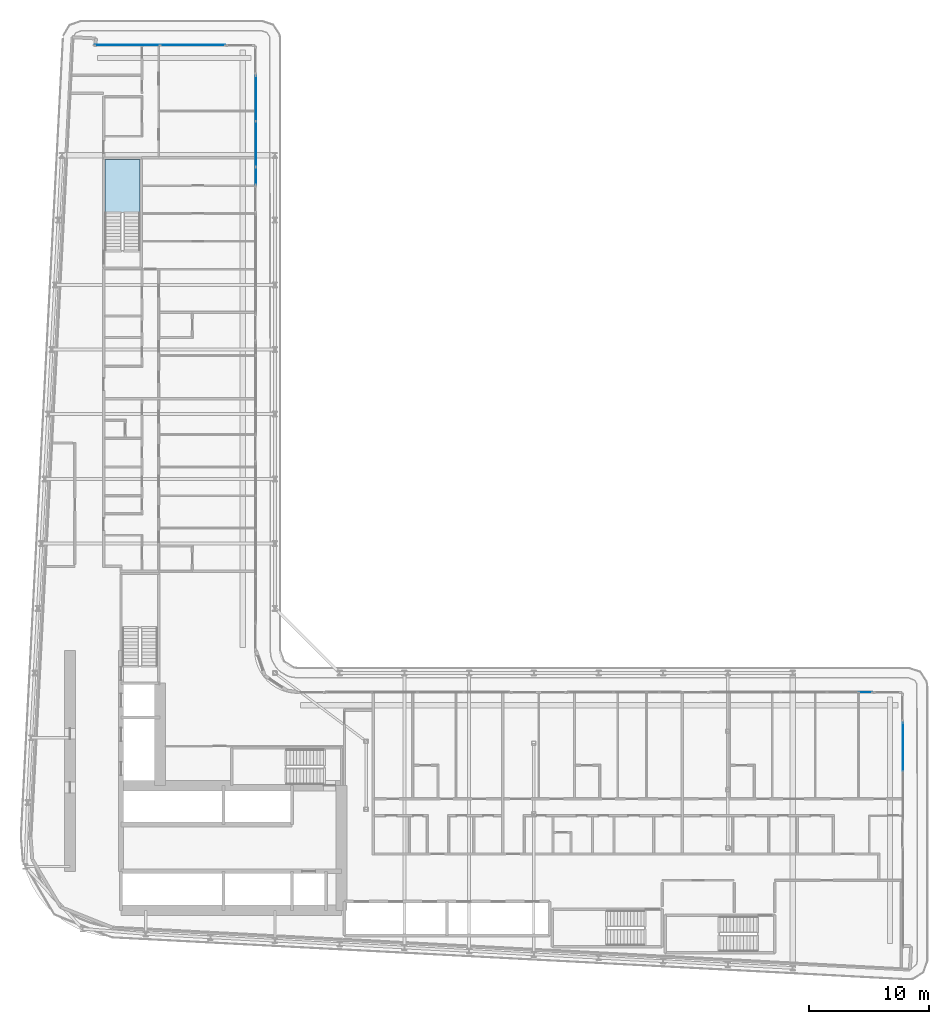
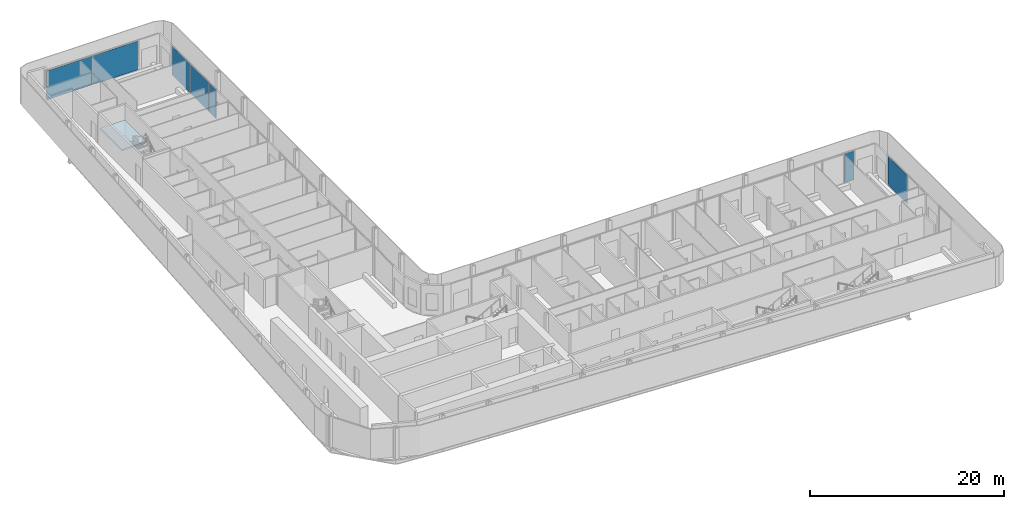
# One storey, part 13 of 29: 7 plates, 1 slab, 6 elements without a shape of their own.
"""IFC4 building model written with IfcOpenShell, lengths in metres."""

from ifc_helpers import new_model, si_unit, direction, frame, origin, origin_2d, place, context, subcontext, project, spatial, polyline, rectangle, outline, extrude, material, layer, layer_set, type_object, element, aggregate, save


model = new_model("IFC4")

# Units and contexts
model_context = context("Model", 3, precision=1e-05, world=origin(), true_north=direction((0.0, 1.0)))
body_context = subcontext(model_context, "Body", "Model", "MODEL_VIEW")
ifc_project = project(units=[si_unit("LENGTHUNIT", "METRE"), si_unit("AREAUNIT", "SQUARE_METRE"), si_unit("VOLUMEUNIT", "CUBIC_METRE"), si_unit("PLANEANGLEUNIT", "RADIAN"), si_unit("MASSUNIT", "GRAM", prefix="KILO")], contexts=[model_context])

# Site, building, storey
site_placement = place(None, origin())
site = spatial("IfcSite", under=ifc_project, at=site_placement, CompositionType="ELEMENT")
building_placement = place(site_placement, origin())
building = spatial("IfcBuilding", under=site, at=building_placement, Name="Kheshtan School and Residences Tower", CompositionType="ELEMENT")
storey_placement = place(building_placement, frame((0.0, 0.0, 121.39990234375)))
storey = spatial("IfcBuildingStorey", under=building, at=storey_placement, Name="L28", CompositionType="ELEMENT", Elevation=121.39990234375)

# Curtain wall, plates
ifc_material_1 = material(Name="Clear low-e glass in thermally broken aluminium frame", Category="aluminium")
ifc_layer_1 = layer(ifc_material_1, 0.199951171875)
ifc_layer_set_1 = layer_set([ifc_layer_1], Name="Curtain wall CW-L")
curtain_wall_type = type_object("IfcCurtainWallType", Name="Curtain wall CW-L", PredefinedType="NOTDEFINED", material=ifc_layer_set_1)
curtain_wall_1_placement = place(storey_placement, origin())
curtain_wall_1 = element("IfcCurtainWall", 1, at=curtain_wall_1_placement, inside=storey, type_object=curtain_wall_type, Name="Curtain wall CWL7", PredefinedType="NOTDEFINED")
ifc_layer_2 = layer(ifc_material_1, 0.031982421875)
ifc_layer_set_2 = layer_set([ifc_layer_2], Name="CW-L glass panel")
plate_type = type_object("IfcPlateType", Name="CW-L glass panel", PredefinedType="CURTAIN_PANEL", material=ifc_layer_set_2)
plate_1_placement = place(storey_placement, frame((35.259033203125, 98.0, 0.000244140625), z_axis=(0.0, 0.0, 1.0), x_axis=(1.0, 0.0, 0.0)))
plate_1 = element("IfcPlate", 2, at=plate_1_placement, type_object=plate_type, Name="CWL7 panel 1.1", PredefinedType="CURTAIN_PANEL", context=body_context, shape_type="SweptSolid", body=[
    extrude(rectangle(XDim=5.4140625, YDim=0.031982421875, at=origin_2d()), origin(), (0.0, 0.0, 1.0), 3.6298828125),
])
plate_2_placement = place(storey_placement, frame((40.73291015625, 98.0, 0.000244140625), z_axis=(0.0, 0.0, 1.0), x_axis=(1.0, 0.0, 0.0)))
plate_2 = element("IfcPlate", 3, at=plate_2_placement, type_object=plate_type, Name="CWL7 panel 2.1", PredefinedType="CURTAIN_PANEL", context=body_context, shape_type="SweptSolid", body=[
    extrude(rectangle(XDim=5.4140625, YDim=0.031982421875, at=origin_2d()), origin(), (0.0, 0.0, 1.0), 3.6298828125),
])
aggregate(curtain_wall_1, [plate_1, plate_2])

curtain_wall_2_placement = place(storey_placement, origin())
curtain_wall_2 = element("IfcCurtainWall", 4, at=curtain_wall_2_placement, inside=storey, type_object=curtain_wall_type, Name="Curtain wall CWL8", PredefinedType="NOTDEFINED")
plate_3_placement = place(storey_placement, frame((46.0, 93.5615234375, 0.000244140625), z_axis=(0.0, 0.0, 1.0), x_axis=(0.0, -1.0, 0.0)))
plate_3 = element("IfcPlate", 5, at=plate_3_placement, type_object=plate_type, Name="CWL8 panel 1.1", PredefinedType="CURTAIN_PANEL", context=body_context, shape_type="SweptSolid", body=[
    extrude(rectangle(XDim=3.757080078125, YDim=0.031982421875, at=origin_2d()), origin(), (0.0, 0.0, 1.0), 3.6298828125),
])
plate_4_placement = place(storey_placement, frame((46.0, 89.744384765625, 0.000244140625), z_axis=(0.0, 0.0, 1.0), x_axis=(0.0, -1.0, 0.0)))
plate_4 = element("IfcPlate", 6, at=plate_4_placement, type_object=plate_type, Name="CWL8 panel 2.1", PredefinedType="CURTAIN_PANEL", context=body_context, shape_type="SweptSolid", body=[
    extrude(rectangle(XDim=3.757080078125, YDim=0.031982421875, at=origin_2d()), origin(), (0.0, 0.0, 1.0), 3.6298828125),
])
aggregate(curtain_wall_2, [plate_3, plate_4])

# Curtain wall, plate
curtain_wall_3_placement = place(storey_placement, origin())
curtain_wall_3 = element("IfcCurtainWall", 7, at=curtain_wall_3_placement, inside=storey, type_object=curtain_wall_type, Name="Curtain wall CWL8a", PredefinedType="NOTDEFINED")
plate_5_placement = place(storey_placement, frame((46.0, 87.0859375, 0.000244140625), z_axis=(0.0, 0.0, 1.0), x_axis=(0.0, -1.0, 0.0)))
plate_5 = element("IfcPlate", 8, at=plate_5_placement, type_object=plate_type, Name="CWL8a panel 1.1", PredefinedType="CURTAIN_PANEL", context=body_context, shape_type="SweptSolid", body=[
    extrude(rectangle(XDim=1.43994140625, YDim=0.031982421875, at=origin_2d()), origin(), (0.0, 0.0, 1.0), 3.6298828125),
])
aggregate(curtain_wall_3, [plate_5])

curtain_wall_4_placement = place(storey_placement, origin())
curtain_wall_4 = element("IfcCurtainWall", 9, at=curtain_wall_4_placement, inside=storey, type_object=curtain_wall_type, Name="Curtain wall CWL12k", PredefinedType="NOTDEFINED")
plate_6_placement = place(storey_placement, frame((96.885009765625, 44.0, 0.000244140625), z_axis=(0.0, 0.0, 1.0), x_axis=(1.0, 0.0, 0.0)))
plate_6 = element("IfcPlate", 10, at=plate_6_placement, type_object=plate_type, Name="CWL12k panel 3.1", PredefinedType="CURTAIN_PANEL", context=body_context, shape_type="SweptSolid", body=[
    extrude(rectangle(XDim=1.110107421875, YDim=0.031982421875, at=origin_2d()), origin(), (0.0, 0.0, 1.0), 3.6298828125),
])
aggregate(curtain_wall_4, [plate_6])

curtain_wall_5_placement = place(storey_placement, origin())
curtain_wall_5 = element("IfcCurtainWall", 11, at=curtain_wall_5_placement, inside=storey, type_object=curtain_wall_type, Name="Curtain wall CWL13b", PredefinedType="NOTDEFINED")
plate_7_placement = place(storey_placement, frame((100.0, 39.436767578125, 0.000244140625), z_axis=(0.0, 0.0, 1.0), x_axis=(0.0, -1.0, 0.0)))
plate_7 = element("IfcPlate", 12, at=plate_7_placement, type_object=plate_type, Name="CWL13b panel 1.1", PredefinedType="CURTAIN_PANEL", context=body_context, shape_type="SweptSolid", body=[
    extrude(rectangle(XDim=4.006591796875, YDim=0.031982421875, at=origin_2d()), origin(), (0.0, 0.0, 1.0), 3.6298828125),
])
aggregate(curtain_wall_5, [plate_7])

# Stair, slab
ifc_material_2 = material(Name="Concrete C40/50", Category="concrete")
stair_type = type_object("IfcStairType", Name="Exit stair, half-turn", PredefinedType="HALF_TURN_STAIR", material=ifc_material_2)
stair_placement = place(storey_placement, origin())
stair = element("IfcStair", 13, at=stair_placement, inside=storey, type_object=stair_type, Name="L28 Protected Exit Stair ST3", PredefinedType="HALF_TURN_STAIR")
ifc_layer_3 = layer(ifc_material_2, 0.199951171875)
ifc_layer_set_3 = layer_set([ifc_layer_3], Name="Stair landing 200 Concrete C40/50")
slab_type = type_object("IfcSlabType", Name="Stair landing 200 Concrete C40/50", PredefinedType="LANDING", material=ifc_layer_set_3)
slab_placement = place(storey_placement, frame((0.0, 0.0, 1.75)))
slab = element("IfcSlab", 14, at=slab_placement, type_object=slab_type, Name="ST3 landing 1", PredefinedType="LANDING", context=body_context, shape_type="SweptSolid", body=[
    extrude(outline(polyline([(36.35009765625, 83.97998046875), (36.35009765625, 88.4599609375), (33.39990234375, 88.4599609375), (33.39990234375, 83.97998046875), (36.35009765625, 83.97998046875)])), origin(), (0.0, 0.0, 1.0), 0.2001953125),
])
aggregate(stair, [slab])

save(model, "model.ifc")
